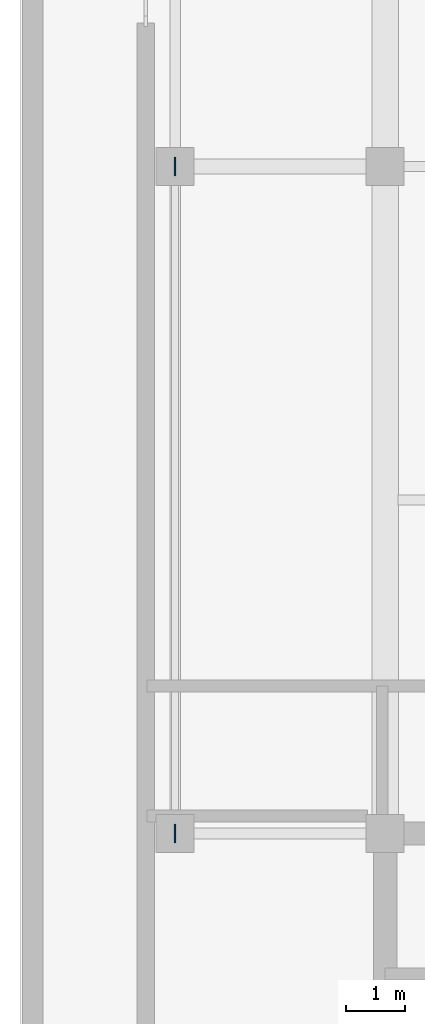
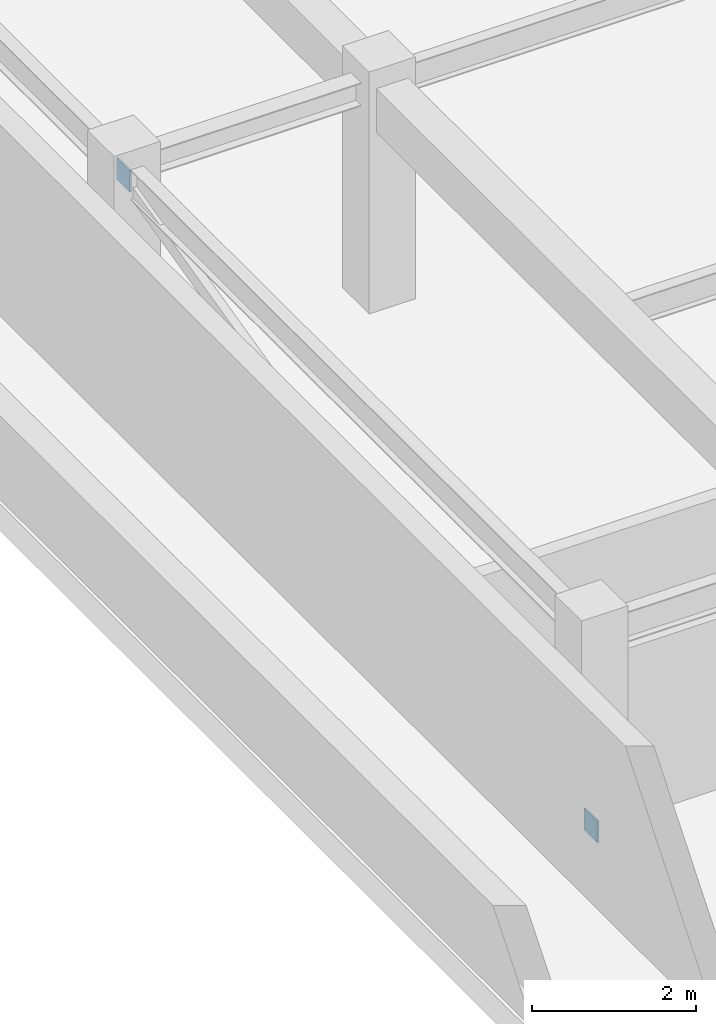
# One storey, part 7 of 9: 2 discrete accessories.
"""IFC4 building model written with IfcOpenShell, lengths in metres."""

from ifc_helpers import new_model, si_unit, direction, frame, origin, origin_2d, place, context, subcontext, project, spatial, rectangle, extrude, material, layer, layer_set, type_object, element, save


model = new_model("IFC4")

# Units and contexts
model_context = context("Model", 3, precision=1e-05, world=origin(), true_north=direction((0.0, 1.0)))
body_context = subcontext(model_context, "Body", "Model", "MODEL_VIEW")
ifc_project = project(units=[si_unit("LENGTHUNIT", "METRE"), si_unit("AREAUNIT", "SQUARE_METRE"), si_unit("VOLUMEUNIT", "CUBIC_METRE"), si_unit("PLANEANGLEUNIT", "RADIAN"), si_unit("MASSUNIT", "GRAM", prefix="KILO")], contexts=[model_context])

# Site, building, storey
site_placement = place(None, origin())
site = spatial("IfcSite", under=ifc_project, at=site_placement, CompositionType="ELEMENT")
building_placement = place(site_placement, origin())
building = spatial("IfcBuilding", under=site, at=building_placement, Name="Svetorya Sky Lyceum", CompositionType="ELEMENT")
storey_placement = place(building_placement, frame((0.0, 0.0, 302.0)))
storey = spatial("IfcBuildingStorey", under=building, at=storey_placement, Name="C01", CompositionType="ELEMENT", Elevation=302.0)

# Discrete accessories
ifc_material = material(Name="Steel S355", Category="steel")
ifc_layer = layer(ifc_material, 0.02392578125)
ifc_layer_set = layer_set([ifc_layer], Name="Steel S355")
discrete_accessory_type = type_object("IfcDiscreteAccessoryType", Name="ACC-GUSSET-24", PredefinedType="BRACKET", material=ifc_layer_set)
for number, where, z_axis, x_axis, name in (
    (1, (22.010009765625, 16.800048828125, 0.08984375), (0.0, 0.0, 1.0), (1.0, 0.0, 0.0), "C01 Brace Node Gusset Plate 193"),
    (2, (22.010009765625, 28.199951171875, 2.85986328125), (0.0, 0.0, 1.0), (1.0, 0.0, 0.0), "C01 Brace Node Gusset Plate 194"),
):
    element("IfcDiscreteAccessory", number, at=place(storey_placement, frame(where, z_axis=z_axis, x_axis=x_axis)), inside=storey, type_object=discrete_accessory_type, Name=name, PredefinedType="BRACKET", context=body_context, shape_type="SweptSolid", body=[
        extrude(rectangle(XDim=0.02392578125, YDim=0.320068359375, at=origin_2d()), origin(), (0.0, 0.0, 1.0), 0.320068359375),
    ])

save(model, "model.ifc")
